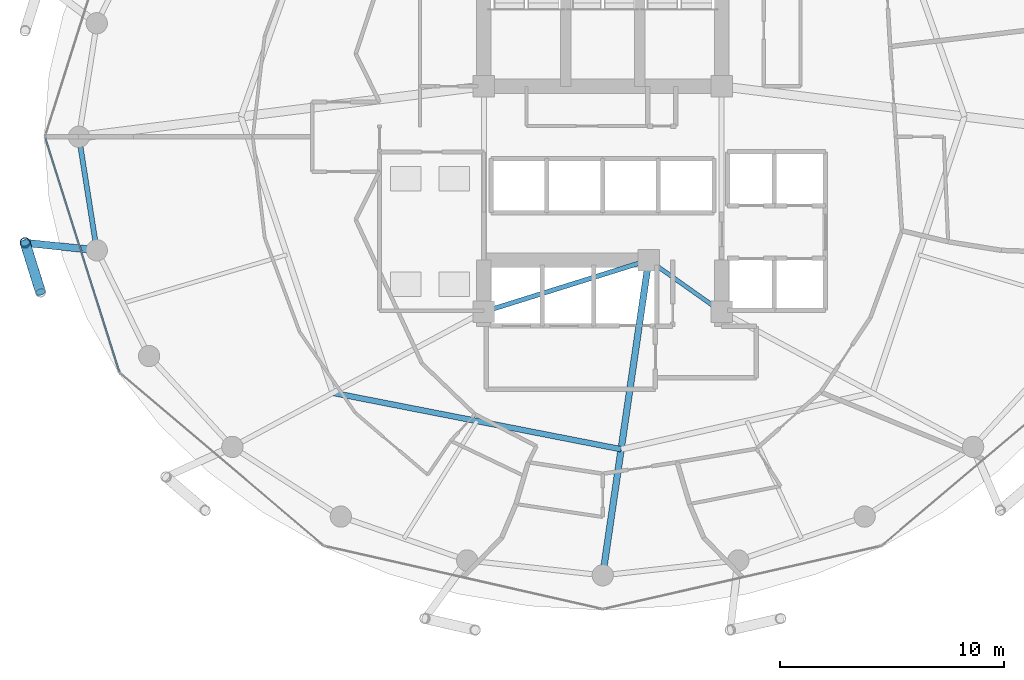
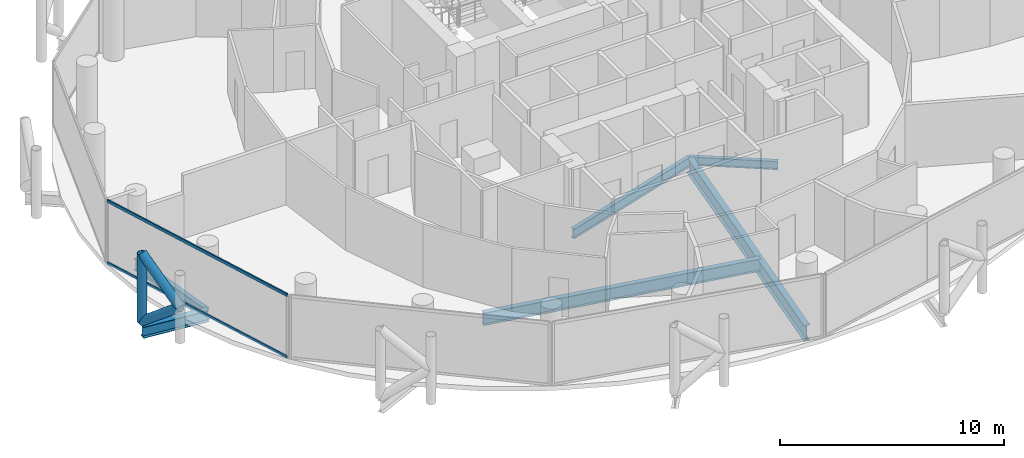
# One storey, part 5 of 26: 6 beams, 5 members, 1 element without a shape of its own.
"""IFC4 building model written with IfcOpenShell, lengths in metres."""

from ifc_helpers import new_model, si_unit, direction, frame, origin, origin_2d, place, context, subcontext, project, spatial, hollow_rectangle, hollow_circle, i_section, extrude, material, layer, layer_set, material_profile, profile_set, type_object, element, aggregate, save


model = new_model("IFC4")

# Units and contexts
model_context = context("Model", 3, precision=1e-05, world=origin(), true_north=direction((0.0, 1.0)))
body_context = subcontext(model_context, "Body", "Model", "MODEL_VIEW")
ifc_project = project(units=[si_unit("LENGTHUNIT", "METRE"), si_unit("AREAUNIT", "SQUARE_METRE"), si_unit("VOLUMEUNIT", "CUBIC_METRE"), si_unit("PLANEANGLEUNIT", "RADIAN"), si_unit("MASSUNIT", "GRAM", prefix="KILO")], contexts=[model_context])

# Site, building, storey
site_placement = place(None, origin())
site = spatial("IfcSite", under=ifc_project, at=site_placement, CompositionType="ELEMENT")
building_placement = place(site_placement, origin())
building = spatial("IfcBuilding", under=site, at=building_placement, Name="Nuhasar Tower", CompositionType="ELEMENT")
storey_placement = place(building_placement, frame((0.0, 0.0, 118.25)))
storey = spatial("IfcBuildingStorey", under=building, at=storey_placement, Name="L27", CompositionType="ELEMENT", Elevation=118.25)

# Beams
ifc_material_1 = material(Name="Steel S355", Category="steel")
ifc_material_profile_1 = material_profile(ifc_material_1, i_section(OverallWidth=0.25390625, OverallDepth=0.68408203125, WebThickness=0.012451171875, FlangeThickness=0.018798828125, at=origin_2d()), Name="W27X94")
ifc_profile_set_1 = profile_set([ifc_material_profile_1], Name="Steel S355")
beam_type_1 = type_object("IfcBeamType", Name="BM-INRING-W27X94", PredefinedType="BEAM", material=ifc_profile_set_1)
beam_1_placement = place(storey_placement, frame((26.972900390625, 15.385986328125, -0.592041015625), z_axis=(0.981359637088, -0.192180286956, 0.0), x_axis=(0.192180286956, 0.981359637088, 0.0)))
element("IfcBeam", 1, at=beam_1_placement, inside=storey, type_object=beam_type_1, Name="L27 Inner Header Beam 01", PredefinedType="BEAM", context=body_context, shape_type="SweptSolid", body=[
    extrude(i_section(OverallWidth=0.25390625, OverallDepth=0.68408203125, WebThickness=0.012451171875, FlangeThickness=0.018798828125, at=origin_2d()), origin(), (0.0, 0.0, 1.0), 13.09130859375),
])
ifc_material_profile_2 = material_profile(ifc_material_1, i_section(OverallWidth=0.2919921875, OverallDepth=0.85888671875, WebThickness=0.01708984375, FlangeThickness=0.031005859375, at=origin_2d()), Name="W33X169")
ifc_profile_set_2 = profile_set([ifc_material_profile_2], Name="Steel S355")
beam_type_2 = type_object("IfcBeamType", Name="BM-POD-W33X169", PredefinedType="BEAM", material=ifc_profile_set_2)
beam_2_placement = place(storey_placement, frame((41.050048828125, 21.300048828125, -0.679931640625), z_axis=(-0.144381604017, -0.989522082837, 0.0), x_axis=(0.989522082837, -0.144381604017, 0.0)))
element("IfcBeam", 2, at=beam_2_placement, inside=storey, type_object=beam_type_2, Name="L27 Radial Floor Girder 02", PredefinedType="BEAM", context=body_context, shape_type="SweptSolid", body=[
    extrude(i_section(OverallWidth=0.2919921875, OverallDepth=0.85888671875, WebThickness=0.01708984375, FlangeThickness=0.031005859375, at=origin_2d()), origin(), (0.0, 0.0, 1.0), 14.19873046875),
])
ifc_material_profile_3 = material_profile(ifc_material_1, i_section(OverallWidth=0.18994140625, OverallDepth=0.45703125, WebThickness=0.009033203125, FlangeThickness=0.014404296875, at=origin_2d()), Name="W18X50")
ifc_profile_set_3 = profile_set([ifc_material_profile_3], Name="Steel S355")
beam_type_3 = type_object("IfcBeamType", Name="BM-RAD-W18X50", PredefinedType="BEAM", material=ifc_profile_set_3)
beam_3_placement = place(storey_placement, frame((41.050048828125, 21.300048828125, -0.47802734375), z_axis=(0.816265428953, -0.577677028708, 0.0), x_axis=(0.577677028708, 0.816265428953, 0.0)))
element("IfcBeam", 3, at=beam_3_placement, inside=storey, type_object=beam_type_3, Name="L27 Core Ring Girder 2", PredefinedType="BEAM", context=body_context, shape_type="SweptSolid", body=[
    extrude(i_section(OverallWidth=0.18994140625, OverallDepth=0.45703125, WebThickness=0.009033203125, FlangeThickness=0.014404296875, at=origin_2d()), origin(), (0.0, 0.0, 1.0), 3.9814453125),
])
ifc_material_profile_4 = material_profile(ifc_material_1, i_section(OverallWidth=0.208984375, OverallDepth=0.532958984375, WebThickness=0.01025390625, FlangeThickness=0.015625, at=origin_2d()), Name="W21X62")
ifc_profile_set_4 = profile_set([ifc_material_profile_4], Name="Steel S355")
beam_type_4 = type_object("IfcBeamType", Name="BM-RAD-W21X62", PredefinedType="BEAM", material=ifc_profile_set_4)
beam_4_placement = place(storey_placement, frame((33.699951171875, 19.0, -0.51611328125), z_axis=(0.954363709454, 0.298646798205, 0.0), x_axis=(-0.298646798205, 0.954363709454, 0.0)))
element("IfcBeam", 4, at=beam_4_placement, inside=storey, type_object=beam_type_4, Name="L27 Core Ring Girder 1", PredefinedType="BEAM", context=body_context, shape_type="SweptSolid", body=[
    extrude(i_section(OverallWidth=0.208984375, OverallDepth=0.532958984375, WebThickness=0.01025390625, FlangeThickness=0.015625, at=origin_2d()), origin(), (0.0, 0.0, 1.0), 7.70166015625),
])
ifc_material_profile_5 = material_profile(ifc_material_1, i_section(OverallWidth=0.22998046875, OverallDepth=0.616943359375, WebThickness=0.01318359375, FlangeThickness=0.022216796875, at=origin_2d()), Name="W24X94")
ifc_profile_set_5 = profile_set([ifc_material_profile_5], Name="Steel S355")
beam_type_5 = type_object("IfcBeamType", Name="BM-RING-W24X94", PredefinedType="SPANDREL", material=ifc_profile_set_5)
beam_5_placement = place(storey_placement, frame((15.64990234375, 26.800048828125, -0.55810546875), z_axis=(0.155426543608, -0.987847452566, 0.0), x_axis=(0.987847452566, 0.155426543608, 0.0)))
element("IfcBeam", 5, at=beam_5_placement, inside=storey, type_object=beam_type_5, Name="L27 Perimeter Ring Spandrel 13", PredefinedType="SPANDREL", context=body_context, shape_type="SweptSolid", body=[
    extrude(i_section(OverallWidth=0.22998046875, OverallDepth=0.616943359375, WebThickness=0.01318359375, FlangeThickness=0.022216796875, at=origin_2d()), origin(), (0.0, 0.0, 1.0), 5.122314453125),
])
ifc_material_profile_6 = material_profile(ifc_material_1, i_section(OverallWidth=0.323974609375, OverallDepth=0.611083984375, WebThickness=0.0126953125, FlangeThickness=0.01904296875, at=origin_2d()), Name="W24X104")
ifc_profile_set_6 = profile_set([ifc_material_profile_6], Name="Steel S355")
beam_type_6 = type_object("IfcBeamType", Name="BM-TIE-W24X104", PredefinedType="BEAM", material=ifc_profile_set_6)
beam_6_placement = place(storey_placement, frame((16.446044921875, 21.739990234375, -0.554931640625), z_axis=(-0.994577694483, 0.103996200111, 0.0), x_axis=(-0.103996200111, -0.994577694483, 0.0)))
element("IfcBeam", 6, at=beam_6_placement, inside=storey, type_object=beam_type_6, Name="L27 Exoskeleton Node Tie Beam 07", PredefinedType="BEAM", context=body_context, shape_type="SweptSolid", body=[
    extrude(i_section(OverallWidth=0.323974609375, OverallDepth=0.611083984375, WebThickness=0.0126953125, FlangeThickness=0.01904296875, at=origin_2d()), origin(), (0.0, 0.0, 1.0), 3.21142578125),
])

# Curtain wall, members
ifc_material_2 = material(Name="Aluminium 6063-T6", Category="aluminium")
ifc_layer = layer(ifc_material_2, 0.199951171875)
ifc_layer_set = layer_set([ifc_layer], Name="Aluminium 6063-T6")
curtain_wall_type = type_object("IfcCurtainWallType", Name="CW-Z2-HTL", PredefinedType="NOTDEFINED", material=ifc_layer_set)
curtain_wall_placement = place(storey_placement, origin())
curtain_wall = element("IfcCurtainWall", 7, at=curtain_wall_placement, inside=storey, type_object=curtain_wall_type, Name="L27 Unitised Curtain Wall 07", PredefinedType="NOTDEFINED")
ifc_material_profile_7 = material_profile(ifc_material_2, hollow_rectangle(XDim=0.070068359375, YDim=0.159912109375, WallThickness=0.00439453125, at=origin_2d()), Name="CWT-3")
ifc_profile_set_7 = profile_set([ifc_material_profile_7], Name="Aluminium 6063-T6")
member_type_1 = type_object("IfcMemberType", Name="CW-TRN-S3", PredefinedType="USERDEFINED", material=ifc_profile_set_7)
member_1_placement = place(storey_placement, frame((14.1611328125, 26.733154296875, 0.034912109375), z_axis=(0.301608163352, -0.953431967053, 0.0), x_axis=(0.953431967053, 0.301608163352, 0.0)))
member_1 = element("IfcMember", 8, at=member_1_placement, type_object=member_type_1, Name="CW-Z2 transom 1.1", ObjectType="TRANSOM", PredefinedType="USERDEFINED", context=body_context, shape_type="SweptSolid", body=[
    extrude(hollow_rectangle(XDim=0.070068359375, YDim=0.159912109375, WallThickness=0.00439453125, at=origin_2d()), origin(), (0.0, 0.0, 1.0), 10.904296875),
])
member_2_placement = place(storey_placement, frame((14.1611328125, 26.733154296875, 3.4150390625), z_axis=(0.301608163352, -0.953431967053, 0.0), x_axis=(0.953431967053, 0.301608163352, 0.0)))
member_2 = element("IfcMember", 9, at=member_2_placement, type_object=member_type_1, Name="CW-Z2 transom 1.2", ObjectType="TRANSOM", PredefinedType="USERDEFINED", context=body_context, shape_type="SweptSolid", body=[
    extrude(hollow_rectangle(XDim=0.070068359375, YDim=0.159912109375, WallThickness=0.00439453125, at=origin_2d()), origin(), (0.0, 0.0, 1.0), 10.904296875),
])
aggregate(curtain_wall, [member_1, member_2])

# Members
ifc_material_3 = material(Name="Steel S460", Category="steel")
ifc_material_profile_8 = material_profile(ifc_material_3, hollow_circle(Radius=0.228515625, WallThickness=0.022216796875, at=origin_2d()), Name="HSS457X22.2")
ifc_profile_set_8 = profile_set([ifc_material_profile_8], Name="Steel S460")
member_type_2 = type_object("IfcMemberType", Name="EXO-BRONZE-457", PredefinedType="BRACE", material=ifc_profile_set_8)
member_3_placement = place(storey_placement, frame((13.251953125, 22.073974609375, 0.0), z_axis=(0.0, 0.0, 1.0), x_axis=(1.0, 0.0, 0.0)))
element("IfcMember", 10, at=member_3_placement, inside=storey, type_object=member_type_2, Name="L27 Exoskeleton Chord Column EC-07A", PredefinedType="BRACE", context=body_context, shape_type="SweptSolid", body=[
    extrude(hollow_circle(Radius=0.228515625, WallThickness=0.022216796875, at=origin_2d()), origin(), (0.0, 0.0, 1.0), 3.699951171875),
])
member_4_placement = place(storey_placement, frame((13.251953125, 22.073974609375, 0.0), z_axis=(0.233055548538, -0.743577869731, 0.626719285599), x_axis=(0.954228474306, 0.29907861646, 0.0)))
element("IfcMember", 11, at=member_4_placement, inside=storey, type_object=member_type_2, Name="L27 Bronze Diagrid Brace W1-07", PredefinedType="BRACE", context=body_context, shape_type="SweptSolid", body=[
    extrude(hollow_circle(Radius=0.228515625, WallThickness=0.022216796875, at=origin_2d()), origin(), (0.0, 0.0, 1.0), 2.9521484375),
])
member_5_placement = place(storey_placement, frame((13.93994140625, 19.87890625, 1.85009765625), z_axis=(-0.233067628236, 0.74361641074, 0.626669062861), x_axis=(-0.954228474306, -0.29907861646, 0.0)))
element("IfcMember", 12, at=member_5_placement, inside=storey, type_object=member_type_2, Name="L27 Bronze Diagrid Brace W2-07", PredefinedType="BRACE", context=body_context, shape_type="SweptSolid", body=[
    extrude(hollow_circle(Radius=0.228515625, WallThickness=0.022216796875, at=origin_2d()), origin(), (0.0, 0.0, 1.0), 2.951904296875),
])

save(model, "model.ifc")
